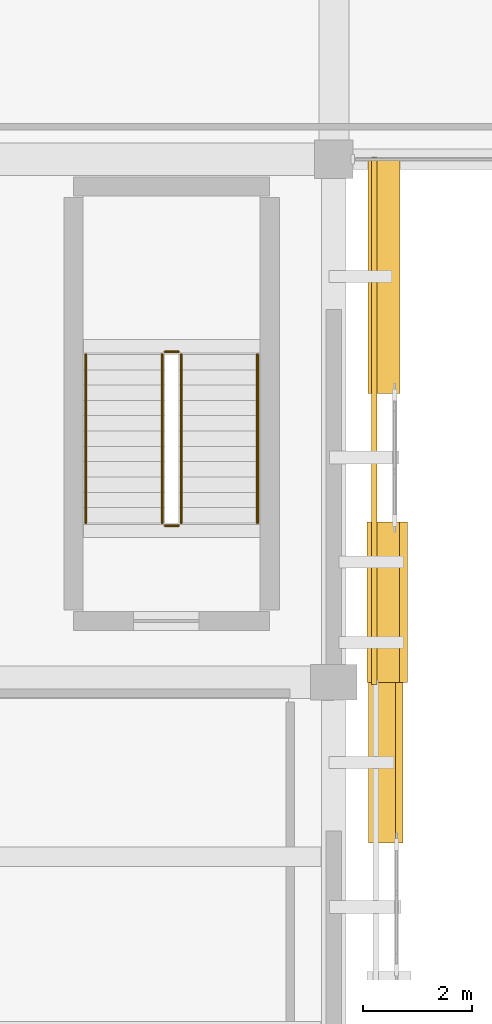
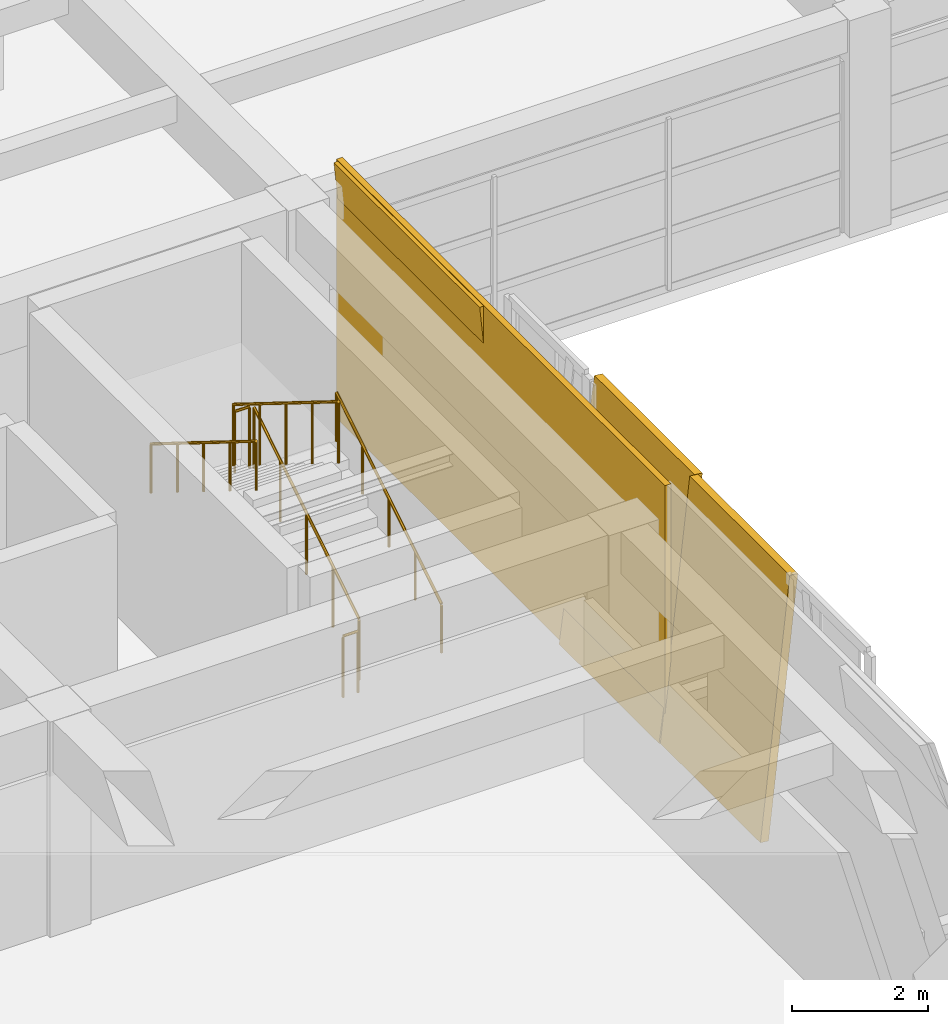
# One storey, part 54 of 62: 6 railings, 4 coverings.
"""IFC4 building model written with IfcOpenShell, lengths in metres."""

from ifc_helpers import new_model, si_unit, direction, frame, origin, origin_2d, place, context, subcontext, project, spatial, rectangle, circle, extrude, material, layer, layer_set, type_object, element, save


model = new_model("IFC4")

# Units and contexts
model_context = context("Model", 3, precision=1e-05, world=origin(), true_north=direction((0.0, 1.0)))
body_context = subcontext(model_context, "Body", "Model", "MODEL_VIEW")
ifc_project = project(units=[si_unit("LENGTHUNIT", "METRE"), si_unit("AREAUNIT", "SQUARE_METRE"), si_unit("VOLUMEUNIT", "CUBIC_METRE"), si_unit("PLANEANGLEUNIT", "RADIAN"), si_unit("MASSUNIT", "GRAM", prefix="KILO")], contexts=[model_context])

# Site, building, storey
site_placement = place(None, origin())
site = spatial("IfcSite", under=ifc_project, at=site_placement, CompositionType="ELEMENT")
building_placement = place(site_placement, origin())
building = spatial("IfcBuilding", under=site, at=building_placement, Name="Bempovik Park Faculty of Sciences", CompositionType="ELEMENT")
storey_placement = place(building_placement, frame((0.0, 0.0, 9.89990234375)))
storey = spatial("IfcBuildingStorey", under=building, at=storey_placement, Name="L02", CompositionType="ELEMENT", Elevation=9.89990234375)

# Coverings
ifc_material_1 = material(Name="White reconstituted limestone precast C40/50", Category="masonry")
ifc_layer = layer(ifc_material_1, 0.1201171875)
ifc_layer_set = layer_set([ifc_layer], Name="White reconstituted limestone precast C40/50")
covering_type = type_object("IfcCoveringType", Name="CL-01 Crystal Limestone Facet 120mm", PredefinedType="CLADDING", material=ifc_layer_set)
covering_1_placement = place(storey_placement, frame((118.302734375, 56.7275390625, -0.406494140625), z_axis=(0.107131754314, 0.0, 0.994244832633), x_axis=(0.0, 1.0, 0.0)))
element("IfcCovering", 1, at=covering_1_placement, inside=storey, type_object=covering_type, Name="L02 Counter-Tilted Crystal Facet FAC-CRYS-L02-1176-486-R", PredefinedType="CLADDING", context=body_context, shape_type="SweptSolid", body=[
    extrude(rectangle(XDim=2.945068359375, YDim=0.139892578125, at=origin_2d()), origin(), (0.0, 0.0, 1.0), 4.659912109375),
])
covering_2_placement = place(storey_placement, frame((118.340087890625, 63.0, -0.419921875), z_axis=(0.0, 0.0, 1.0), x_axis=(1.0, 0.0, 0.0)))
element("IfcCovering", 2, at=covering_2_placement, inside=storey, type_object=covering_type, Name="L02 White Crystal Seam Backing 1176-582", PredefinedType="CLADDING", context=body_context, shape_type="SweptSolid", body=[
    extrude(rectangle(XDim=0.10009765625, YDim=9.679931640625, at=origin_2d()), origin(), (0.0, 0.0, 1.0), 4.659912109375),
])
covering_3_placement = place(storey_placement, frame((118.280029296875, 59.672607421875, -0.400390625), z_axis=(0.128795596578, 0.0, 0.991671162383), x_axis=(0.0, 1.0, 0.0)))
element("IfcCovering", 3, at=covering_3_placement, inside=storey, type_object=covering_type, Name="L02 Tilted Crystal Limestone Facet FAC-CRYS-L02-1176-582", PredefinedType="CLADDING", context=body_context, shape_type="SweptSolid", body=[
    extrude(rectangle(XDim=2.945068359375, YDim=0.139892578125, at=origin_2d()), origin(), (0.0, 0.0, 1.0), 4.659912109375),
])
covering_4_placement = place(storey_placement, frame((118.745361328125, 65.652587890625, -0.408935546875), z_axis=(-0.096714362966, 0.0, 0.995312178161), x_axis=(0.0, 1.0, 0.0)))
element("IfcCovering", 4, at=covering_4_placement, inside=storey, type_object=covering_type, Name="L02 Counter-Tilted Crystal Facet FAC-CRYS-L02-1176-582-R", PredefinedType="CLADDING", context=body_context, shape_type="SweptSolid", body=[
    extrude(rectangle(XDim=4.294921875, YDim=0.139892578125, at=origin_2d()), origin(), (0.0, 0.0, 1.0), 4.659912109375),
])

# Railings
ifc_material_2 = material(Name="Anodised architectural bronze")
railing_type_1 = type_object("IfcRailingType", Name="GR-01 Guardrail 1120mm", PredefinedType="GUARDRAIL", material=ifc_material_2)
railing_1_placement = place(storey_placement, frame((114.800048828125, 61.125, 0.175048828125)))
element("IfcRailing", 5, at=railing_1_placement, inside=storey, type_object=railing_type_1, Name="L02 ST-5 Stair Guard 1", PredefinedType="GUARDRAIL", context=body_context, shape_type="SweptSolid", body=[
    extrude(circle(Radius=0.02392578125, at=origin_2d()), frame((0.0, 0.0, 1.09619140625), z_axis=(0.0, 0.84905059285, 0.528311547082), x_axis=(-1.0, 0.0, 0.0)), (0.0, 0.0, 1.0), 3.643798828125),
    extrude(circle(Radius=0.02099609375, at=origin_2d()), origin(), (0.0, 0.0, 1.0), 1.072021484375),
    extrude(circle(Radius=0.02099609375, at=origin_2d()), frame((0.0, 0.7734375, 0.481201171875)), (0.0, 0.0, 1.0), 1.072021484375),
    extrude(circle(Radius=0.02099609375, at=origin_2d()), frame((0.0, 1.546875, 0.96240234375)), (0.0, 0.0, 1.0), 1.072021484375),
    extrude(circle(Radius=0.02099609375, at=origin_2d()), frame((0.0, 2.3203125, 1.44384765625)), (0.0, 0.0, 1.0), 1.072021484375),
    extrude(circle(Radius=0.02099609375, at=origin_2d()), frame((0.0, 3.09375, 1.925048828125)), (0.0, 0.0, 1.0), 1.072021484375),
])
railing_2_placement = place(storey_placement, frame((114.75, 64.268798828125, 2.10009765625)))
element("IfcRailing", 6, at=railing_2_placement, inside=storey, type_object=railing_type_1, Name="L02 ST-5 Stair Guard 2", PredefinedType="GUARDRAIL", context=body_context, shape_type="SweptSolid", body=[
    extrude(circle(Radius=0.02392578125, at=origin_2d()), frame((0.0, 0.0, 1.09619140625), z_axis=(-1.0, 0.0, 0.0), x_axis=(0.0, -1.0, 0.0)), (0.0, 0.0, 1.0), 0.25),
    extrude(circle(Radius=0.02099609375, at=origin_2d()), origin(), (0.0, 0.0, 1.0), 1.072021484375),
    extrude(circle(Radius=0.02099609375, at=origin_2d()), frame((-0.25, 0.0, 0.0)), (0.0, 0.0, 1.0), 1.072021484375),
])
railing_3_placement = place(storey_placement, frame((114.449951171875, 64.21875, 2.275146484375)))
element("IfcRailing", 7, at=railing_3_placement, inside=storey, type_object=railing_type_1, Name="L02 ST-5 Stair Guard 3", PredefinedType="GUARDRAIL", context=body_context, shape_type="SweptSolid", body=[
    extrude(circle(Radius=0.02392578125, at=origin_2d()), frame((0.0, 0.0, 1.09619140625), z_axis=(0.0, -0.84905059285, 0.528311547082), x_axis=(1.0, 0.0, 0.0)), (0.0, 0.0, 1.0), 3.643798828125),
    extrude(circle(Radius=0.02099609375, at=origin_2d()), origin(), (0.0, 0.0, 1.0), 1.072021484375),
    extrude(circle(Radius=0.02099609375, at=origin_2d()), frame((0.0, -0.7734375, 0.481201171875)), (0.0, 0.0, 1.0), 1.072021484375),
    extrude(circle(Radius=0.02099609375, at=origin_2d()), frame((0.0, -1.546875, 0.96240234375)), (0.0, 0.0, 1.0), 1.072021484375),
    extrude(circle(Radius=0.02099609375, at=origin_2d()), frame((0.0, -2.3203125, 1.44384765625)), (0.0, 0.0, 1.0), 1.072021484375),
    extrude(circle(Radius=0.02099609375, at=origin_2d()), frame((0.0, -3.09375, 1.925048828125)), (0.0, 0.0, 1.0), 1.072021484375),
])
railing_4_placement = place(storey_placement, frame((114.75, 61.074951171875, 0.0)))
element("IfcRailing", 8, at=railing_4_placement, inside=storey, type_object=railing_type_1, Name="L02 ST-5 Stair Guard 4", PredefinedType="GUARDRAIL", context=body_context, shape_type="SweptSolid", body=[
    extrude(circle(Radius=0.02392578125, at=origin_2d()), frame((0.0, 0.0, 1.09619140625), z_axis=(-1.0, 0.0, 0.0), x_axis=(0.0, -1.0, 0.0)), (0.0, 0.0, 1.0), 0.25),
    extrude(circle(Radius=0.02099609375, at=origin_2d()), origin(), (0.0, 0.0, 1.0), 1.072021484375),
    extrude(circle(Radius=0.02099609375, at=origin_2d()), frame((-0.25, 0.0, 0.0)), (0.0, 0.0, 1.0), 1.072021484375),
])
railing_type_2 = type_object("IfcRailingType", Name="HR-01 Wall Handrail 900mm", PredefinedType="HANDRAIL", material=ifc_material_2)
railing_5_placement = place(storey_placement, frame((116.199951171875, 61.125, 0.175048828125)))
element("IfcRailing", 9, at=railing_5_placement, inside=storey, type_object=railing_type_2, Name="L02 ST-5 Stair Handrail 1", PredefinedType="HANDRAIL", context=body_context, shape_type="SweptSolid", body=[
    extrude(circle(Radius=0.02392578125, at=origin_2d()), frame((0.0, 0.0, 0.8759765625), z_axis=(0.0, 0.84905059285, 0.528311547082), x_axis=(-1.0, 0.0, 0.0)), (0.0, 0.0, 1.0), 3.643798828125),
    extrude(circle(Radius=0.02099609375, at=origin_2d()), origin(), (0.0, 0.0, 1.0), 0.851806640625),
    extrude(circle(Radius=0.02099609375, at=origin_2d()), frame((0.0, 0.7734375, 0.481201171875)), (0.0, 0.0, 1.0), 0.851806640625),
    extrude(circle(Radius=0.02099609375, at=origin_2d()), frame((0.0, 1.546875, 0.96240234375)), (0.0, 0.0, 1.0), 0.851806640625),
    extrude(circle(Radius=0.02099609375, at=origin_2d()), frame((0.0, 2.3203125, 1.44384765625)), (0.0, 0.0, 1.0), 0.851806640625),
    extrude(circle(Radius=0.02099609375, at=origin_2d()), frame((0.0, 3.09375, 1.925048828125)), (0.0, 0.0, 1.0), 0.851806640625),
])
railing_6_placement = place(storey_placement, frame((113.050048828125, 64.21875, 2.275146484375)))
element("IfcRailing", 10, at=railing_6_placement, inside=storey, type_object=railing_type_2, Name="L02 ST-5 Stair Handrail 2", PredefinedType="HANDRAIL", context=body_context, shape_type="SweptSolid", body=[
    extrude(circle(Radius=0.02392578125, at=origin_2d()), frame((0.0, 0.0, 0.8759765625), z_axis=(0.0, -0.84905059285, 0.528311547082), x_axis=(1.0, 0.0, 0.0)), (0.0, 0.0, 1.0), 3.643798828125),
    extrude(circle(Radius=0.02099609375, at=origin_2d()), origin(), (0.0, 0.0, 1.0), 0.851806640625),
    extrude(circle(Radius=0.02099609375, at=origin_2d()), frame((0.0, -0.7734375, 0.481201171875)), (0.0, 0.0, 1.0), 0.851806640625),
    extrude(circle(Radius=0.02099609375, at=origin_2d()), frame((0.0, -1.546875, 0.96240234375)), (0.0, 0.0, 1.0), 0.851806640625),
    extrude(circle(Radius=0.02099609375, at=origin_2d()), frame((0.0, -2.3203125, 1.44384765625)), (0.0, 0.0, 1.0), 0.851806640625),
    extrude(circle(Radius=0.02099609375, at=origin_2d()), frame((0.0, -3.09375, 1.925048828125)), (0.0, 0.0, 1.0), 0.851806640625),
])

save(model, "model.ifc")
